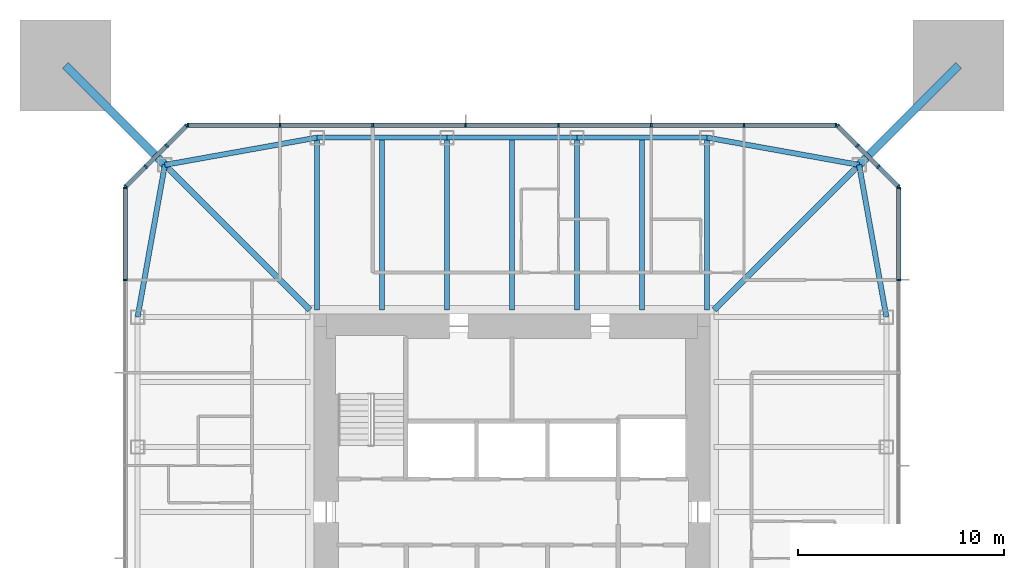
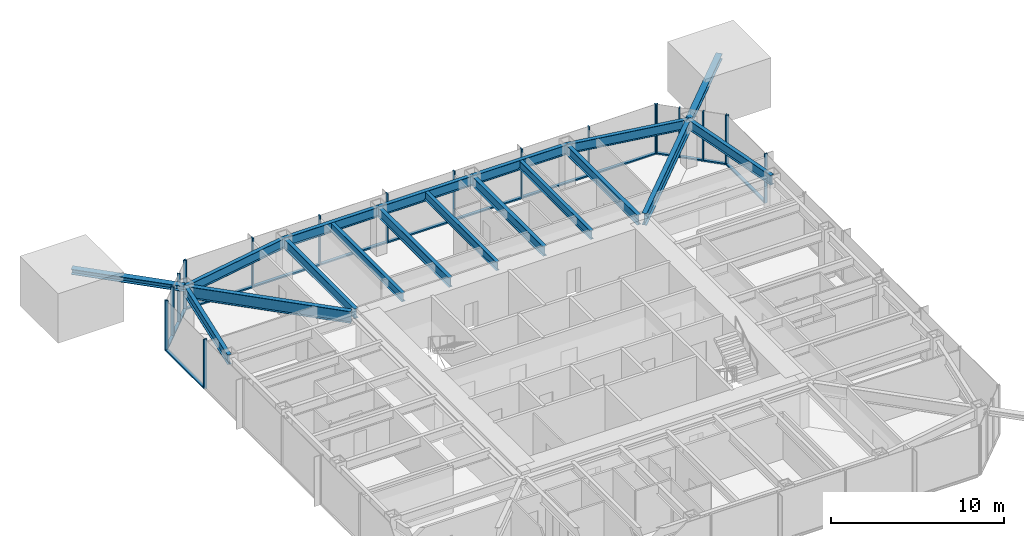
# One storey, part 4 of 11: 37 members, 16 beams, 5 elements without a shape of their own.
"""IFC4 building model written with IfcOpenShell, lengths in metres."""

from ifc_helpers import new_model, si_unit, direction, frame, origin, origin_2d, place, context, subcontext, project, spatial, rectangle, i_section, extrude, material, material_profile, profile_set, type_object, element, aggregate, save


model = new_model("IFC4")

# Units and contexts
model_context = context("Model", 3, precision=1e-05, world=origin(), true_north=direction((0.0, 1.0)))
body_context = subcontext(model_context, "Body", "Model", "MODEL_VIEW")
ifc_project = project(units=[si_unit("LENGTHUNIT", "METRE"), si_unit("AREAUNIT", "SQUARE_METRE"), si_unit("VOLUMEUNIT", "CUBIC_METRE"), si_unit("PLANEANGLEUNIT", "RADIAN"), si_unit("MASSUNIT", "GRAM", prefix="KILO")], contexts=[model_context])

# Site, building, storey
site_placement = place(None, origin())
site = spatial("IfcSite", under=ifc_project, at=site_placement, CompositionType="ELEMENT")
building_placement = place(site_placement, origin())
building = spatial("IfcBuilding", under=site, at=building_placement, Name="Iwan Alto Co-Living Towers", CompositionType="ELEMENT")
storey_placement = place(building_placement, frame((0.0, 0.0, 188.0)))
storey = spatial("IfcBuildingStorey", under=building, at=storey_placement, Name="L51", CompositionType="ELEMENT", Elevation=188.0)

# Curtain wall, members
ifc_material_1 = material(Name="Bronze aluminium unitised frame", Category="aluminium")
curtain_wall_type_1 = type_object("IfcCurtainWallType", Name="CURTAIN WALL CW-A", PredefinedType="NOTDEFINED", material=ifc_material_1)
curtain_wall_1_placement = place(storey_placement, origin())
curtain_wall_1 = element("IfcCurtainWall", 1, at=curtain_wall_1_placement, inside=storey, type_object=curtain_wall_type_1, Name="T1 curtain wall E L51", PredefinedType="NOTDEFINED")
ifc_material_2 = material(Name="Aluminium 6063-T6 bronze anodised", Category="aluminium")
ifc_material_profile_1 = material_profile(ifc_material_2, rectangle(XDim=0.199951171875, YDim=0.080078125, at=origin_2d()), Name="AL 80X200")
ifc_profile_set_1 = profile_set([ifc_material_profile_1], Name="Aluminium 6063-T6 bronze anodised")
member_type_1 = type_object("IfcMemberType", Name="CW-A MULLION 80X200", PredefinedType="MULLION", material=ifc_profile_set_1)
member_1_placement = place(storey_placement, frame((18.75, 11.25, 0.0), z_axis=(0.0, 0.0, 1.0), x_axis=(-1.0, 0.0, 0.0)))
member_1 = element("IfcMember", 2, at=member_1_placement, type_object=member_type_1, Name="CW-A mullion 7", PredefinedType="MULLION", context=body_context, shape_type="SweptSolid", body=[
    extrude(rectangle(XDim=0.199951171875, YDim=0.080078125, at=origin_2d()), origin(), (0.0, 0.0, 1.0), 3.5),
])
member_2_placement = place(storey_placement, frame((18.75, 15.7099609375, 0.0), z_axis=(0.0, 0.0, 1.0), x_axis=(-1.0, 0.0, 0.0)))
member_2 = element("IfcMember", 3, at=member_2_placement, type_object=member_type_1, Name="CW-A mullion 8", PredefinedType="MULLION", context=body_context, shape_type="SweptSolid", body=[
    extrude(rectangle(XDim=0.199951171875, YDim=0.080078125, at=origin_2d()), origin(), (0.0, 0.0, 1.0), 3.5),
])

curtain_wall_2_placement = place(storey_placement, origin())
curtain_wall_2 = element("IfcCurtainWall", 4, at=curtain_wall_2_placement, inside=storey, type_object=curtain_wall_type_1, Name="T1 curtain wall N L51", PredefinedType="NOTDEFINED")
member_3_placement = place(storey_placement, frame((15.7099609375, 18.75, 0.0), z_axis=(0.0, 0.0, 1.0), x_axis=(0.0, -1.0, 0.0)))
member_3 = element("IfcMember", 5, at=member_3_placement, type_object=member_type_1, Name="CW-A mullion 1", PredefinedType="MULLION", context=body_context, shape_type="SweptSolid", body=[
    extrude(rectangle(XDim=0.199951171875, YDim=0.080078125, at=origin_2d()), origin(), (0.0, 0.0, 1.0), 3.5),
])
member_4_placement = place(storey_placement, frame((11.25, 18.75, 0.0), z_axis=(0.0, 0.0, 1.0), x_axis=(0.0, -1.0, 0.0)))
member_4 = element("IfcMember", 6, at=member_4_placement, type_object=member_type_1, Name="CW-A mullion 2", PredefinedType="MULLION", context=body_context, shape_type="SweptSolid", body=[
    extrude(rectangle(XDim=0.199951171875, YDim=0.080078125, at=origin_2d()), origin(), (0.0, 0.0, 1.0), 3.5),
])
member_5_placement = place(storey_placement, frame((6.75, 18.75, 0.0), z_axis=(0.0, 0.0, 1.0), x_axis=(0.0, -1.0, 0.0)))
member_5 = element("IfcMember", 7, at=member_5_placement, type_object=member_type_1, Name="CW-A mullion 3", PredefinedType="MULLION", context=body_context, shape_type="SweptSolid", body=[
    extrude(rectangle(XDim=0.199951171875, YDim=0.080078125, at=origin_2d()), origin(), (0.0, 0.0, 1.0), 3.5),
])
member_6_placement = place(storey_placement, frame((2.25, 18.75, 0.0), z_axis=(0.0, 0.0, 1.0), x_axis=(0.0, -1.0, 0.0)))
member_6 = element("IfcMember", 8, at=member_6_placement, type_object=member_type_1, Name="CW-A mullion 4", PredefinedType="MULLION", context=body_context, shape_type="SweptSolid", body=[
    extrude(rectangle(XDim=0.199951171875, YDim=0.080078125, at=origin_2d()), origin(), (0.0, 0.0, 1.0), 3.5),
])
member_7_placement = place(storey_placement, frame((-2.25, 18.75, 0.0), z_axis=(0.0, 0.0, 1.0), x_axis=(0.0, -1.0, 0.0)))
member_7 = element("IfcMember", 9, at=member_7_placement, type_object=member_type_1, Name="CW-A mullion 5", PredefinedType="MULLION", context=body_context, shape_type="SweptSolid", body=[
    extrude(rectangle(XDim=0.199951171875, YDim=0.080078125, at=origin_2d()), origin(), (0.0, 0.0, 1.0), 3.5),
])
member_8_placement = place(storey_placement, frame((-6.75, 18.75, 0.0), z_axis=(0.0, 0.0, 1.0), x_axis=(0.0, -1.0, 0.0)))
member_8 = element("IfcMember", 10, at=member_8_placement, type_object=member_type_1, Name="CW-A mullion 6", PredefinedType="MULLION", context=body_context, shape_type="SweptSolid", body=[
    extrude(rectangle(XDim=0.199951171875, YDim=0.080078125, at=origin_2d()), origin(), (0.0, 0.0, 1.0), 3.5),
])
member_9_placement = place(storey_placement, frame((-11.25, 18.75, 0.0), z_axis=(0.0, 0.0, 1.0), x_axis=(0.0, -1.0, 0.0)))
member_9 = element("IfcMember", 11, at=member_9_placement, type_object=member_type_1, Name="CW-A mullion 7", PredefinedType="MULLION", context=body_context, shape_type="SweptSolid", body=[
    extrude(rectangle(XDim=0.199951171875, YDim=0.080078125, at=origin_2d()), origin(), (0.0, 0.0, 1.0), 3.5),
])
member_10_placement = place(storey_placement, frame((-15.7099609375, 18.75, 0.0), z_axis=(0.0, 0.0, 1.0), x_axis=(0.0, -1.0, 0.0)))
member_10 = element("IfcMember", 12, at=member_10_placement, type_object=member_type_1, Name="CW-A mullion 8", PredefinedType="MULLION", context=body_context, shape_type="SweptSolid", body=[
    extrude(rectangle(XDim=0.199951171875, YDim=0.080078125, at=origin_2d()), origin(), (0.0, 0.0, 1.0), 3.5),
])

curtain_wall_3_placement = place(storey_placement, origin())
curtain_wall_3 = element("IfcCurtainWall", 13, at=curtain_wall_3_placement, inside=storey, type_object=curtain_wall_type_1, Name="T1 curtain wall W L51", PredefinedType="NOTDEFINED")
member_11_placement = place(storey_placement, frame((-18.75, 15.7099609375, 0.0), z_axis=(0.0, 0.0, 1.0), x_axis=(1.0, 0.0, 0.0)))
member_11 = element("IfcMember", 14, at=member_11_placement, type_object=member_type_1, Name="CW-A mullion 1", PredefinedType="MULLION", context=body_context, shape_type="SweptSolid", body=[
    extrude(rectangle(XDim=0.199951171875, YDim=0.080078125, at=origin_2d()), origin(), (0.0, 0.0, 1.0), 3.5),
])
member_12_placement = place(storey_placement, frame((-18.75, 11.25, 0.0), z_axis=(0.0, 0.0, 1.0), x_axis=(1.0, 0.0, 0.0)))
member_12 = element("IfcMember", 15, at=member_12_placement, type_object=member_type_1, Name="CW-A mullion 2", PredefinedType="MULLION", context=body_context, shape_type="SweptSolid", body=[
    extrude(rectangle(XDim=0.199951171875, YDim=0.080078125, at=origin_2d()), origin(), (0.0, 0.0, 1.0), 3.5),
])

# Member
ifc_material_3 = material(Name="Aluminium 6063-T6 bronze anodised", Category="aluminium")
ifc_material_profile_2 = material_profile(ifc_material_3, rectangle(XDim=0.199951171875, YDim=0.10009765625, at=origin_2d()), Name="AL 200X100")
ifc_profile_set_2 = profile_set([ifc_material_profile_2], Name="Aluminium 6063-T6 bronze anodised")
member_type_2 = type_object("IfcMemberType", Name="CW-A TRANSOM 200X100", PredefinedType="USERDEFINED", material=ifc_profile_set_2)
member_13_placement = place(storey_placement, frame((18.75, 11.2900390625, 0.050048828125), z_axis=(0.0, 1.0, 0.0), x_axis=(-1.0, 0.0, 0.0)))
member_13 = element("IfcMember", 16, at=member_13_placement, type_object=member_type_2, Name="CW-A transom 7.1", ObjectType="TRANSOM", PredefinedType="USERDEFINED", context=body_context, shape_type="SweptSolid", body=[
    extrude(rectangle(XDim=0.199951171875, YDim=0.10009765625, at=origin_2d()), origin(), (0.0, 0.0, 1.0), 4.3798828125),
])

aggregate(curtain_wall_1, [member_1, member_2, member_13])

member_14_placement = place(storey_placement, frame((15.669921875, 18.75, 0.050048828125), z_axis=(-1.0, 0.0, 0.0), x_axis=(0.0, -1.0, 0.0)))
member_14 = element("IfcMember", 17, at=member_14_placement, type_object=member_type_2, Name="CW-A transom 1.1", ObjectType="TRANSOM", PredefinedType="USERDEFINED", context=body_context, shape_type="SweptSolid", body=[
    extrude(rectangle(XDim=0.199951171875, YDim=0.10009765625, at=origin_2d()), origin(), (0.0, 0.0, 1.0), 4.3798828125),
])

member_15_placement = place(storey_placement, frame((11.2099609375, 18.75, 0.050048828125), z_axis=(-1.0, 0.0, 0.0), x_axis=(0.0, -1.0, 0.0)))
member_15 = element("IfcMember", 18, at=member_15_placement, type_object=member_type_2, Name="CW-A transom 2.1", ObjectType="TRANSOM", PredefinedType="USERDEFINED", context=body_context, shape_type="SweptSolid", body=[
    extrude(rectangle(XDim=0.199951171875, YDim=0.10009765625, at=origin_2d()), origin(), (0.0, 0.0, 1.0), 4.419921875),
])

member_16_placement = place(storey_placement, frame((6.7099609375, 18.75, 0.050048828125), z_axis=(-1.0, 0.0, 0.0), x_axis=(0.0, -1.0, 0.0)))
member_16 = element("IfcMember", 19, at=member_16_placement, type_object=member_type_2, Name="CW-A transom 3.1", ObjectType="TRANSOM", PredefinedType="USERDEFINED", context=body_context, shape_type="SweptSolid", body=[
    extrude(rectangle(XDim=0.199951171875, YDim=0.10009765625, at=origin_2d()), origin(), (0.0, 0.0, 1.0), 4.419921875),
])

member_17_placement = place(storey_placement, frame((2.2099609375, 18.75, 0.050048828125), z_axis=(-1.0, 0.0, 0.0), x_axis=(0.0, -1.0, 0.0)))
member_17 = element("IfcMember", 20, at=member_17_placement, type_object=member_type_2, Name="CW-A transom 4.1", ObjectType="TRANSOM", PredefinedType="USERDEFINED", context=body_context, shape_type="SweptSolid", body=[
    extrude(rectangle(XDim=0.199951171875, YDim=0.10009765625, at=origin_2d()), origin(), (0.0, 0.0, 1.0), 4.419921875),
])

member_18_placement = place(storey_placement, frame((-2.2900390625, 18.75, 0.050048828125), z_axis=(-1.0, 0.0, 0.0), x_axis=(0.0, -1.0, 0.0)))
member_18 = element("IfcMember", 21, at=member_18_placement, type_object=member_type_2, Name="CW-A transom 5.1", ObjectType="TRANSOM", PredefinedType="USERDEFINED", context=body_context, shape_type="SweptSolid", body=[
    extrude(rectangle(XDim=0.199951171875, YDim=0.10009765625, at=origin_2d()), origin(), (0.0, 0.0, 1.0), 4.419921875),
])

member_19_placement = place(storey_placement, frame((-6.7900390625, 18.75, 0.050048828125), z_axis=(-1.0, 0.0, 0.0), x_axis=(0.0, -1.0, 0.0)))
member_19 = element("IfcMember", 22, at=member_19_placement, type_object=member_type_2, Name="CW-A transom 6.1", ObjectType="TRANSOM", PredefinedType="USERDEFINED", context=body_context, shape_type="SweptSolid", body=[
    extrude(rectangle(XDim=0.199951171875, YDim=0.10009765625, at=origin_2d()), origin(), (0.0, 0.0, 1.0), 4.419921875),
])

member_20_placement = place(storey_placement, frame((-11.2900390625, 18.75, 0.050048828125), z_axis=(-1.0, 0.0, 0.0), x_axis=(0.0, -1.0, 0.0)))
member_20 = element("IfcMember", 23, at=member_20_placement, type_object=member_type_2, Name="CW-A transom 7.1", ObjectType="TRANSOM", PredefinedType="USERDEFINED", context=body_context, shape_type="SweptSolid", body=[
    extrude(rectangle(XDim=0.199951171875, YDim=0.10009765625, at=origin_2d()), origin(), (0.0, 0.0, 1.0), 4.3798828125),
])

aggregate(curtain_wall_2, [member_3, member_4, member_5, member_6, member_7, member_8, member_9, member_10, member_14, member_15, member_16, member_17, member_18, member_19, member_20])

member_21_placement = place(storey_placement, frame((-18.75, 15.669921875, 0.050048828125), z_axis=(0.0, -1.0, 0.0), x_axis=(1.0, 0.0, 0.0)))
member_21 = element("IfcMember", 24, at=member_21_placement, type_object=member_type_2, Name="CW-A transom 1.1", ObjectType="TRANSOM", PredefinedType="USERDEFINED", context=body_context, shape_type="SweptSolid", body=[
    extrude(rectangle(XDim=0.199951171875, YDim=0.10009765625, at=origin_2d()), origin(), (0.0, 0.0, 1.0), 4.3798828125),
])

aggregate(curtain_wall_3, [member_11, member_12, member_21])

# Curtain wall, members
ifc_material_4 = material(Name="Bronze aluminium unitised frame", Category="aluminium")
curtain_wall_type_2 = type_object("IfcCurtainWallType", Name="CURTAIN WALL CW-B", PredefinedType="NOTDEFINED", material=ifc_material_4)
curtain_wall_4_placement = place(storey_placement, origin())
curtain_wall_4 = element("IfcCurtainWall", 25, at=curtain_wall_4_placement, inside=storey, type_object=curtain_wall_type_2, Name="T1 chamfer curtain wall NE L51", PredefinedType="NOTDEFINED")
ifc_material_5 = material(Name="Aluminium 6063-T6 bronze anodised", Category="aluminium")
ifc_material_profile_3 = material_profile(ifc_material_5, rectangle(XDim=0.199951171875, YDim=0.080078125, at=origin_2d()), Name="AL 80X200")
ifc_profile_set_3 = profile_set([ifc_material_profile_3], Name="Aluminium 6063-T6 bronze anodised")
member_type_3 = type_object("IfcMemberType", Name="CW-B MULLION 80X200", PredefinedType="MULLION", material=ifc_profile_set_3)
member_22_placement = place(storey_placement, frame((18.7216796875, 15.7783203125, 0.0), z_axis=(0.0, 0.0, 1.0), x_axis=(-0.707106781187, -0.707106781187, 0.0)))
member_22 = element("IfcMember", 26, at=member_22_placement, type_object=member_type_3, Name="CW-B mullion 1", PredefinedType="MULLION", context=body_context, shape_type="SweptSolid", body=[
    extrude(rectangle(XDim=0.199951171875, YDim=0.080078125, at=origin_2d()), origin(), (0.0, 0.0, 1.0), 3.5),
])
member_23_placement = place(storey_placement, frame((17.75, 16.75, 0.0), z_axis=(0.0, 0.0, 1.0), x_axis=(-0.707106781187, -0.707106781187, 0.0)))
member_23 = element("IfcMember", 27, at=member_23_placement, type_object=member_type_3, Name="CW-B mullion 2", PredefinedType="MULLION", context=body_context, shape_type="SweptSolid", body=[
    extrude(rectangle(XDim=0.199951171875, YDim=0.080078125, at=origin_2d()), origin(), (0.0, 0.0, 1.0), 3.5),
])
member_24_placement = place(storey_placement, frame((16.75, 17.75, 0.0), z_axis=(0.0, 0.0, 1.0), x_axis=(-0.707106781187, -0.707106781187, 0.0)))
member_24 = element("IfcMember", 28, at=member_24_placement, type_object=member_type_3, Name="CW-B mullion 3", PredefinedType="MULLION", context=body_context, shape_type="SweptSolid", body=[
    extrude(rectangle(XDim=0.199951171875, YDim=0.080078125, at=origin_2d()), origin(), (0.0, 0.0, 1.0), 3.5),
])
member_25_placement = place(storey_placement, frame((15.7783203125, 18.7216796875, 0.0), z_axis=(0.0, 0.0, 1.0), x_axis=(-0.707106781187, -0.707106781187, 0.0)))
member_25 = element("IfcMember", 29, at=member_25_placement, type_object=member_type_3, Name="CW-B mullion 4", PredefinedType="MULLION", context=body_context, shape_type="SweptSolid", body=[
    extrude(rectangle(XDim=0.199951171875, YDim=0.080078125, at=origin_2d()), origin(), (0.0, 0.0, 1.0), 3.5),
])

curtain_wall_5_placement = place(storey_placement, origin())
curtain_wall_5 = element("IfcCurtainWall", 30, at=curtain_wall_5_placement, inside=storey, type_object=curtain_wall_type_2, Name="T1 chamfer curtain wall NW L51", PredefinedType="NOTDEFINED")
member_26_placement = place(storey_placement, frame((-15.7783203125, 18.7216796875, 0.0), z_axis=(0.0, 0.0, 1.0), x_axis=(0.707106781187, -0.707106781187, 0.0)))
member_26 = element("IfcMember", 31, at=member_26_placement, type_object=member_type_3, Name="CW-B mullion 1", PredefinedType="MULLION", context=body_context, shape_type="SweptSolid", body=[
    extrude(rectangle(XDim=0.199951171875, YDim=0.080078125, at=origin_2d()), origin(), (0.0, 0.0, 1.0), 3.5),
])
member_27_placement = place(storey_placement, frame((-16.75, 17.75, 0.0), z_axis=(0.0, 0.0, 1.0), x_axis=(0.707106781187, -0.707106781187, 0.0)))
member_27 = element("IfcMember", 32, at=member_27_placement, type_object=member_type_3, Name="CW-B mullion 2", PredefinedType="MULLION", context=body_context, shape_type="SweptSolid", body=[
    extrude(rectangle(XDim=0.199951171875, YDim=0.080078125, at=origin_2d()), origin(), (0.0, 0.0, 1.0), 3.5),
])
member_28_placement = place(storey_placement, frame((-17.75, 16.75, 0.0), z_axis=(0.0, 0.0, 1.0), x_axis=(0.707106781187, -0.707106781187, 0.0)))
member_28 = element("IfcMember", 33, at=member_28_placement, type_object=member_type_3, Name="CW-B mullion 3", PredefinedType="MULLION", context=body_context, shape_type="SweptSolid", body=[
    extrude(rectangle(XDim=0.199951171875, YDim=0.080078125, at=origin_2d()), origin(), (0.0, 0.0, 1.0), 3.5),
])
member_29_placement = place(storey_placement, frame((-18.7216796875, 15.7783203125, 0.0), z_axis=(0.0, 0.0, 1.0), x_axis=(0.707106781187, -0.707106781187, 0.0)))
member_29 = element("IfcMember", 34, at=member_29_placement, type_object=member_type_3, Name="CW-B mullion 4", PredefinedType="MULLION", context=body_context, shape_type="SweptSolid", body=[
    extrude(rectangle(XDim=0.199951171875, YDim=0.080078125, at=origin_2d()), origin(), (0.0, 0.0, 1.0), 3.5),
])

# Member
ifc_material_6 = material(Name="Aluminium 6063-T6 bronze anodised", Category="aluminium")
ifc_material_profile_4 = material_profile(ifc_material_6, rectangle(XDim=0.199951171875, YDim=0.10009765625, at=origin_2d()), Name="AL 200X100")
ifc_profile_set_4 = profile_set([ifc_material_profile_4], Name="Aluminium 6063-T6 bronze anodised")
member_type_4 = type_object("IfcMemberType", Name="CW-B TRANSOM 200X100", PredefinedType="USERDEFINED", material=ifc_profile_set_4)
member_30_placement = place(storey_placement, frame((18.693359375, 15.806640625, 0.050048828125), z_axis=(-0.707106781187, 0.707106781187, 0.0), x_axis=(-0.707106781187, -0.707106781187, 0.0)))
member_30 = element("IfcMember", 35, at=member_30_placement, type_object=member_type_4, Name="CW-B transom 1.1", ObjectType="TRANSOM", PredefinedType="USERDEFINED", context=body_context, shape_type="SweptSolid", body=[
    extrude(rectangle(XDim=0.199951171875, YDim=0.10009765625, at=origin_2d()), origin(), (0.0, 0.0, 1.0), 1.2939453125),
])

member_31_placement = place(storey_placement, frame((17.7216796875, 16.7783203125, 0.050048828125), z_axis=(-0.707106781187, 0.707106781187, 0.0), x_axis=(-0.707106781187, -0.707106781187, 0.0)))
member_31 = element("IfcMember", 36, at=member_31_placement, type_object=member_type_4, Name="CW-B transom 2.1", ObjectType="TRANSOM", PredefinedType="USERDEFINED", context=body_context, shape_type="SweptSolid", body=[
    extrude(rectangle(XDim=0.199951171875, YDim=0.10009765625, at=origin_2d()), origin(), (0.0, 0.0, 1.0), 1.334228515625),
])

member_32_placement = place(storey_placement, frame((16.7216796875, 17.7783203125, 0.050048828125), z_axis=(-0.707106781187, 0.707106781187, 0.0), x_axis=(-0.707106781187, -0.707106781187, 0.0)))
member_32 = element("IfcMember", 37, at=member_32_placement, type_object=member_type_4, Name="CW-B transom 3.1", ObjectType="TRANSOM", PredefinedType="USERDEFINED", context=body_context, shape_type="SweptSolid", body=[
    extrude(rectangle(XDim=0.199951171875, YDim=0.10009765625, at=origin_2d()), origin(), (0.0, 0.0, 1.0), 1.2939453125),
])

aggregate(curtain_wall_4, [member_22, member_23, member_24, member_25, member_30, member_31, member_32])

member_33_placement = place(storey_placement, frame((-15.806640625, 18.693359375, 0.050048828125), z_axis=(-0.707106781187, -0.707106781187, 0.0), x_axis=(0.707106781187, -0.707106781187, 0.0)))
member_33 = element("IfcMember", 38, at=member_33_placement, type_object=member_type_4, Name="CW-B transom 1.1", ObjectType="TRANSOM", PredefinedType="USERDEFINED", context=body_context, shape_type="SweptSolid", body=[
    extrude(rectangle(XDim=0.199951171875, YDim=0.10009765625, at=origin_2d()), origin(), (0.0, 0.0, 1.0), 1.2939453125),
])

member_34_placement = place(storey_placement, frame((-16.7783203125, 17.7216796875, 0.050048828125), z_axis=(-0.707106781187, -0.707106781187, 0.0), x_axis=(0.707106781187, -0.707106781187, 0.0)))
member_34 = element("IfcMember", 39, at=member_34_placement, type_object=member_type_4, Name="CW-B transom 2.1", ObjectType="TRANSOM", PredefinedType="USERDEFINED", context=body_context, shape_type="SweptSolid", body=[
    extrude(rectangle(XDim=0.199951171875, YDim=0.10009765625, at=origin_2d()), origin(), (0.0, 0.0, 1.0), 1.334228515625),
])

member_35_placement = place(storey_placement, frame((-17.7783203125, 16.7216796875, 0.050048828125), z_axis=(-0.707106781187, -0.707106781187, 0.0), x_axis=(0.707106781187, -0.707106781187, 0.0)))
member_35 = element("IfcMember", 40, at=member_35_placement, type_object=member_type_4, Name="CW-B transom 3.1", ObjectType="TRANSOM", PredefinedType="USERDEFINED", context=body_context, shape_type="SweptSolid", body=[
    extrude(rectangle(XDim=0.199951171875, YDim=0.10009765625, at=origin_2d()), origin(), (0.0, 0.0, 1.0), 1.2939453125),
])

aggregate(curtain_wall_5, [member_26, member_27, member_28, member_29, member_33, member_34, member_35])

# Beams
ifc_material_7 = material(Name="Steel ASTM A992 Gr 50", Category="steel")
ifc_material_profile_5 = material_profile(ifc_material_7, i_section(OverallWidth=0.2919921875, OverallDepth=0.8408203125, WebThickness=0.0146484375, FlangeThickness=0.021728515625, at=origin_2d()), Name="W33X130")
ifc_profile_set_5 = profile_set([ifc_material_profile_5], Name="Steel ASTM A992 Gr 50")
beam_type_1 = type_object("IfcBeamType", Name="T1 CORNER GIRDER W33X130", PredefinedType="BEAM", material=ifc_profile_set_5)
for number, where, z_axis, x_axis, name in (
    (41, (16.82568359375, 16.82568359375, 2.849609375), (-0.707106781187, -0.707106781187, 0.0), (0.707106781187, -0.707106781187, 0.0), "T1 corner girder CNE L52"),
    (42, (-16.82568359375, 16.82568359375, 2.849609375), (0.707106781187, -0.707106781187, 0.0), (0.707106781187, 0.707106781187, 0.0), "T1 corner girder CNW L52"),
):
    element("IfcBeam", number, at=place(storey_placement, frame(where, z_axis=z_axis, x_axis=x_axis)), inside=storey, type_object=beam_type_1, Name=name, PredefinedType="BEAM", context=body_context, shape_type="SweptSolid", body=[
        extrude(i_section(OverallWidth=0.2919921875, OverallDepth=0.8408203125, WebThickness=0.0146484375, FlangeThickness=0.021728515625, at=origin_2d()), origin(), (0.0, 0.0, 1.0), 9.936767578125),
    ])
ifc_material_8 = material(Name="Steel ASTM A992 Gr 50", Category="steel")
ifc_material_profile_6 = material_profile(ifc_material_8, i_section(OverallWidth=0.25390625, OverallDepth=0.683349609375, WebThickness=0.012451171875, FlangeThickness=0.018798828125, at=origin_2d()), Name="W27X94")
ifc_profile_set_6 = profile_set([ifc_material_profile_6], Name="Steel ASTM A992 Gr 50")
beam_type_2 = type_object("IfcBeamType", Name="T1 EDGE BEAM W27X94", PredefinedType="BEAM", material=ifc_profile_set_6)
for number, where, z_axis, x_axis, name in (
    (43, (18.14990234375, 9.449951171875, 2.928466796875), (-0.17671181143, 0.98426263553, 0.0), (-0.98426263553, -0.17671181143, 0.0), "T1 edge beam E4 L52"),
    (44, (16.82568359375, 16.82568359375, 2.928466796875), (-0.98426263553, 0.17671181143, 0.0), (-0.17671181143, -0.98426263553, 0.0), "T1 edge beam CNE L52"),
):
    element("IfcBeam", number, at=place(storey_placement, frame(where, z_axis=z_axis, x_axis=x_axis)), inside=storey, type_object=beam_type_2, Name=name, PredefinedType="BEAM", context=body_context, shape_type="SweptSolid", body=[
        extrude(i_section(OverallWidth=0.25390625, OverallDepth=0.683349609375, WebThickness=0.012451171875, FlangeThickness=0.018798828125, at=origin_2d()), origin(), (0.0, 0.0, 1.0), 7.49365234375),
    ])
beam_1_placement = place(storey_placement, frame((9.449951171875, 18.14990234375, 2.928466796875), z_axis=(-1.0, 0.0, 0.0), x_axis=(0.0, -1.0, 0.0)))
element("IfcBeam", 45, at=beam_1_placement, inside=storey, type_object=beam_type_2, Name="T1 edge beam N1 L52", PredefinedType="BEAM", context=body_context, shape_type="SweptSolid", body=[
    extrude(i_section(OverallWidth=0.25390625, OverallDepth=0.683349609375, WebThickness=0.012451171875, FlangeThickness=0.018798828125, at=origin_2d()), origin(), (0.0, 0.0, 1.0), 6.300048828125),
])
beam_2_placement = place(storey_placement, frame((3.14990234375, 18.14990234375, 2.928466796875), z_axis=(-1.0, 0.0, 0.0), x_axis=(0.0, -1.0, 0.0)))
element("IfcBeam", 46, at=beam_2_placement, inside=storey, type_object=beam_type_2, Name="T1 edge beam N2 L52", PredefinedType="BEAM", context=body_context, shape_type="SweptSolid", body=[
    extrude(i_section(OverallWidth=0.25390625, OverallDepth=0.683349609375, WebThickness=0.012451171875, FlangeThickness=0.018798828125, at=origin_2d()), origin(), (0.0, 0.0, 1.0), 6.2998046875),
])
beam_3_placement = place(storey_placement, frame((-3.14990234375, 18.14990234375, 2.928466796875), z_axis=(-1.0, 0.0, 0.0), x_axis=(0.0, -1.0, 0.0)))
element("IfcBeam", 47, at=beam_3_placement, inside=storey, type_object=beam_type_2, Name="T1 edge beam N3 L52", PredefinedType="BEAM", context=body_context, shape_type="SweptSolid", body=[
    extrude(i_section(OverallWidth=0.25390625, OverallDepth=0.683349609375, WebThickness=0.012451171875, FlangeThickness=0.018798828125, at=origin_2d()), origin(), (0.0, 0.0, 1.0), 6.300048828125),
])
for number, where, z_axis, x_axis, name in (
    (48, (-9.449951171875, 18.14990234375, 2.928466796875), (-0.98426263553, -0.17671181143, 0.0), (0.17671181143, -0.98426263553, 0.0), "T1 edge beam N4 L52"),
    (49, (-16.82568359375, 16.82568359375, 2.928466796875), (-0.17671181143, -0.98426263553, 0.0), (0.98426263553, -0.17671181143, 0.0), "T1 edge beam CNW L52"),
):
    element("IfcBeam", number, at=place(storey_placement, frame(where, z_axis=z_axis, x_axis=x_axis)), inside=storey, type_object=beam_type_2, Name=name, PredefinedType="BEAM", context=body_context, shape_type="SweptSolid", body=[
        extrude(i_section(OverallWidth=0.25390625, OverallDepth=0.683349609375, WebThickness=0.012451171875, FlangeThickness=0.018798828125, at=origin_2d()), origin(), (0.0, 0.0, 1.0), 7.49365234375),
    ])

# Members
ifc_material_9 = material(Name="Steel ASTM A992 Gr 50", Category="steel")
ifc_material_profile_7 = material_profile(ifc_material_9, i_section(OverallWidth=0.393798828125, OverallDepth=0.3759765625, WebThickness=0.017333984375, FlangeThickness=0.027587890625, at=origin_2d()), Name="W14X145")
ifc_profile_set_7 = profile_set([ifc_material_profile_7], Name="Steel ASTM A992 Gr 50")
member_type_5 = type_object("IfcMemberType", Name="T1 MEGA COLUMN FLOOR TIE W14X145", PredefinedType="STRUT", material=ifc_profile_set_7)
for number, where, z_axis, x_axis, name in (
    (50, (21.64990234375, 21.64990234375, 3.08203125), (-0.707106781187, -0.707106781187, 0.0), (0.707106781187, -0.707106781187, 0.0), "T1 mega column floor tie NE L52"),
    (51, (-21.64990234375, 21.64990234375, 3.08203125), (0.707106781187, -0.707106781187, 0.0), (0.707106781187, 0.707106781187, 0.0), "T1 mega column floor tie NW L52"),
):
    element("IfcMember", number, at=place(storey_placement, frame(where, z_axis=z_axis, x_axis=x_axis)), inside=storey, type_object=member_type_5, Name=name, PredefinedType="STRUT", context=body_context, shape_type="SweptSolid", body=[
        extrude(i_section(OverallWidth=0.393798828125, OverallDepth=0.3759765625, WebThickness=0.017333984375, FlangeThickness=0.027587890625, at=origin_2d()), origin(), (0.0, 0.0, 1.0), 6.822509765625),
    ])

# Beams
ifc_material_10 = material(Name="Steel ASTM A992 Gr 50", Category="steel")
ifc_material_profile_8 = material_profile(ifc_material_10, i_section(OverallWidth=0.25390625, OverallDepth=0.683349609375, WebThickness=0.012451171875, FlangeThickness=0.018798828125, at=origin_2d()), Name="W27X94")
ifc_profile_set_8 = profile_set([ifc_material_profile_8], Name="Steel ASTM A992 Gr 50")
beam_type_3 = type_object("IfcBeamType", Name="T1 RADIAL BEAM W27X94", PredefinedType="BEAM", material=ifc_profile_set_8)
for number, where, z_axis, x_axis, name in (
    (52, (9.449951171875, 18.14990234375, 2.928466796875), (0.0, -1.0, 0.0), (1.0, 0.0, 0.0), "T1 radial beam N1 L52"),
    (53, (3.14990234375, 18.14990234375, 2.928466796875), (0.0, -1.0, 0.0), (1.0, 0.0, 0.0), "T1 radial beam N2 L52"),
    (54, (-3.14990234375, 18.14990234375, 2.928466796875), (0.0, -1.0, 0.0), (1.0, 0.0, 0.0), "T1 radial beam N3 L52"),
    (55, (-9.449951171875, 18.14990234375, 2.928466796875), (0.0, -1.0, 0.0), (1.0, 0.0, 0.0), "T1 radial beam N4 L52"),
):
    element("IfcBeam", number, at=place(storey_placement, frame(where, z_axis=z_axis, x_axis=x_axis)), inside=storey, type_object=beam_type_3, Name=name, PredefinedType="BEAM", context=body_context, shape_type="SweptSolid", body=[
        extrude(i_section(OverallWidth=0.25390625, OverallDepth=0.683349609375, WebThickness=0.012451171875, FlangeThickness=0.018798828125, at=origin_2d()), origin(), (0.0, 0.0, 1.0), 8.3505859375),
    ])
ifc_material_11 = material(Name="Steel ASTM A992 Gr 50", Category="steel")
ifc_material_profile_9 = material_profile(ifc_material_11, i_section(OverallWidth=0.228271484375, OverallDepth=0.607177734375, WebThickness=0.01123046875, FlangeThickness=0.017333984375, at=origin_2d()), Name="W24X76")
ifc_profile_set_9 = profile_set([ifc_material_profile_9], Name="Steel ASTM A992 Gr 50")
beam_type_4 = type_object("IfcBeamType", Name="T1 SECONDARY BEAM W24X76", PredefinedType="JOIST", material=ifc_profile_set_9)
for number, where, z_axis, x_axis, name in (
    (56, (6.300048828125, 18.14990234375, 2.966552734375), (0.0, -1.0, 0.0), (1.0, 0.0, 0.0), "T1 secondary beam N1 L52"),
    (57, (0.0, 18.14990234375, 2.966552734375), (0.0, -1.0, 0.0), (1.0, 0.0, 0.0), "T1 secondary beam N2 L52"),
    (58, (-6.300048828125, 18.14990234375, 2.966552734375), (0.0, -1.0, 0.0), (1.0, 0.0, 0.0), "T1 secondary beam N3 L52"),
):
    element("IfcBeam", number, at=place(storey_placement, frame(where, z_axis=z_axis, x_axis=x_axis)), inside=storey, type_object=beam_type_4, Name=name, PredefinedType="JOIST", context=body_context, shape_type="SweptSolid", body=[
        extrude(i_section(OverallWidth=0.228271484375, OverallDepth=0.607177734375, WebThickness=0.01123046875, FlangeThickness=0.017333984375, at=origin_2d()), origin(), (0.0, 0.0, 1.0), 8.3505859375),
    ])

save(model, "model.ifc")
